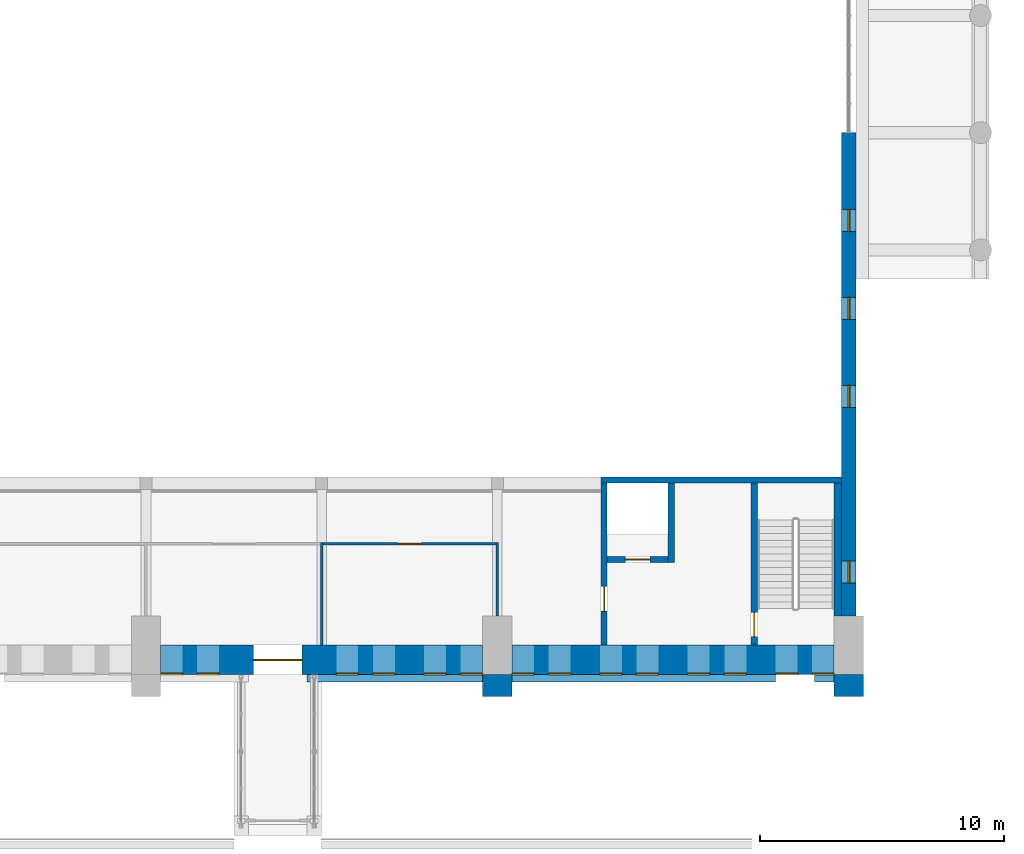
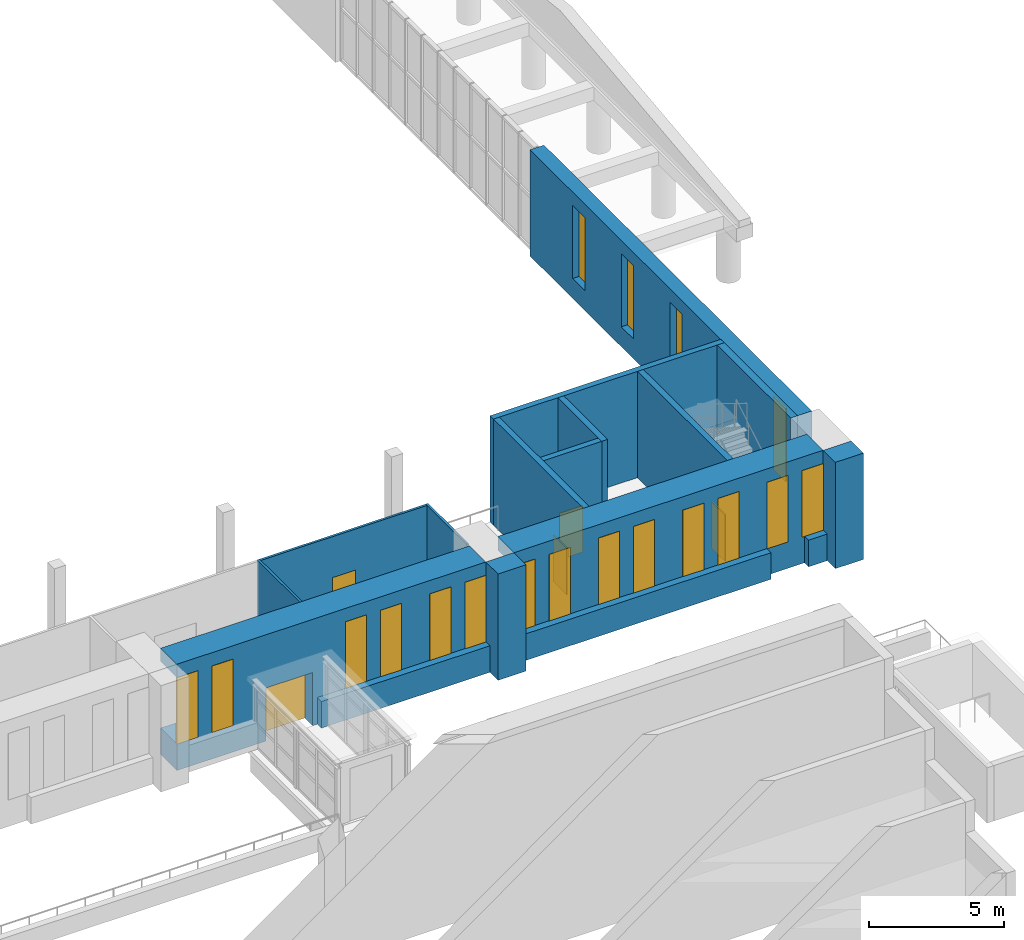
# One storey, part 91 of 131: 18 windows, 17 walls, 5 doors, 23 openings.
"""IFC4 building model written with IfcOpenShell, lengths in metres."""

from ifc_helpers import new_model, si_unit, direction, frame, frame_2d, origin, place, context, subcontext, project, spatial, rectangle, extrude, material, layer, layer_set, type_object, element, fill, save


model = new_model("IFC4")

# Units and contexts
model_context = context("Model", 3, precision=1e-05, world=origin(), true_north=direction((0.0, 1.0)))
body_context = subcontext(model_context, "Body", "Model", "MODEL_VIEW")
ifc_project = project(units=[si_unit("LENGTHUNIT", "METRE"), si_unit("AREAUNIT", "SQUARE_METRE"), si_unit("VOLUMEUNIT", "CUBIC_METRE"), si_unit("PLANEANGLEUNIT", "RADIAN"), si_unit("MASSUNIT", "GRAM", prefix="KILO")], contexts=[model_context])

# Site, building, storey
site_placement = place(None, origin())
site = spatial("IfcSite", under=ifc_project, at=site_placement, CompositionType="ELEMENT")
building_placement = place(site_placement, origin())
building = spatial("IfcBuilding", under=site, at=building_placement, Name="Alderwick Market Hall", CompositionType="ELEMENT")
storey_placement = place(building_placement, frame((0.0, 0.0, 4.800048828125)))
storey = spatial("IfcBuildingStorey", under=building, at=storey_placement, Name="L00", CompositionType="ELEMENT", Elevation=4.800048828125)

# Walls
ifc_material_1 = material(Name="Cast stone 5000 psi (f'c 35 MPa), ASTM C1364", Category="masonry")
ifc_layer_1 = layer(ifc_material_1, 0.300048828125)
ifc_layer_set_1 = layer_set([ifc_layer_1], Name="Cast stone 5000 psi (f'c 35 MPa), ASTM C1364")
wall_type_1 = type_object("IfcWallType", Name="H Base course 300", PredefinedType="SOLIDWALL", material=ifc_layer_set_1)
wall_1_placement = place(storey_placement, frame((129.0, 49.64990234375, 0.0), z_axis=(0.0, 0.0, 1.0), x_axis=(1.0, 0.0, 0.0)))
element("IfcWall", 1, at=wall_1_placement, inside=storey, type_object=wall_type_1, Name="Base course S6", PredefinedType="SOLIDWALL", context=body_context, shape_type="SweptSolid", body=[
    extrude(rectangle(XDim=7.199951171875, YDim=0.300048828125, at=frame_2d((3.60009765625, 0.0))), origin(), (0.0, 0.0, 1.0), 1.199951171875),
])
wall_2_placement = place(storey_placement, frame((137.39990234375, 49.64990234375, 0.0), z_axis=(0.0, 0.0, 1.0), x_axis=(1.0, 0.0, 0.0)))
element("IfcWall", 2, at=wall_2_placement, inside=storey, type_object=wall_type_1, Name="Base course S7", PredefinedType="SOLIDWALL", context=body_context, shape_type="SweptSolid", body=[
    extrude(rectangle(XDim=10.800048828125, YDim=0.300048828125, at=frame_2d((5.39990234375, 0.0))), origin(), (0.0, 0.0, 1.0), 1.199951171875),
])
wall_3_placement = place(storey_placement, frame((149.800048828125, 49.64990234375, 0.0), z_axis=(0.0, 0.0, 1.0), x_axis=(1.0, 0.0, 0.0)))
element("IfcWall", 3, at=wall_3_placement, inside=storey, type_object=wall_type_1, Name="Base course S7", PredefinedType="SOLIDWALL", context=body_context, shape_type="SweptSolid", body=[
    extrude(rectangle(XDim=0.800048828125, YDim=0.300048828125, at=frame_2d((0.39990234375, 0.0))), origin(), (0.0, 0.0, 1.0), 1.199951171875),
])
ifc_material_2 = material(Name="Face brick masonry, ASTM C216 grade SW (f'm 17 MPa)", Category="masonry")
ifc_layer_2 = layer(ifc_material_2, 0.89990234375)
ifc_layer_set_2 = layer_set([ifc_layer_2], Name="Face brick masonry, ASTM C216 grade SW (f'm 17 MPa)")
wall_type_2 = type_object("IfcWallType", Name="H Buttress pier 900", PredefinedType="SOLIDWALL", material=ifc_layer_set_2)
for number, where, z_axis, x_axis, name in (
    (4, (136.199951171875, 49.35009765625, 0.0), (0.0, 0.0, 1.0), (1.0, 0.0, 0.0), "Buttress pier S7"),
    (5, (150.60009765625, 49.35009765625, 0.0), (0.0, 0.0, 1.0), (1.0, 0.0, 0.0), "Buttress pier S8"),
):
    element("IfcWall", number, at=place(storey_placement, frame(where, z_axis=z_axis, x_axis=x_axis)), inside=storey, type_object=wall_type_2, Name=name, PredefinedType="SOLIDWALL", context=body_context, shape_type="SweptSolid", body=[
        extrude(rectangle(XDim=1.199951171875, YDim=0.89990234375, at=frame_2d((0.60009765625, 0.0))), origin(), (0.0, 0.0, 1.0), 4.800048828125),
    ])
ifc_material_3 = material(Name="Concrete 5000 psi (f'c 35 MPa)", Category="concrete")
ifc_layer_3 = layer(ifc_material_3, 0.25)
ifc_layer_set_3 = layer_set([ifc_layer_3], Name="Concrete 5000 psi (f'c 35 MPa)")
wall_type_3 = type_object("IfcWallType", Name="H Core wall 250", PredefinedType="SOLIDWALL", material=ifc_layer_set_3)
wall_4_placement = place(storey_placement, frame((141.050048828125, 57.764892578125, 0.0), z_axis=(0.0, 0.0, 1.0), x_axis=(1.0, 0.0, 0.0)))
element("IfcWall", 6, at=wall_4_placement, inside=storey, type_object=wall_type_3, Name="Core wall H-SE", PredefinedType="SOLIDWALL", context=body_context, shape_type="SweptSolid", body=[
    extrude(rectangle(XDim=9.849853515625, YDim=0.25, at=frame_2d((4.9248046875, 0.0))), origin(), (0.0, 0.0, 1.0), 4.800048828125),
])

# Wall, opening, door
wall_5_placement = place(storey_placement, frame((141.175048828125, 51.0, 0.0), z_axis=(0.0, 0.0, 1.0), x_axis=(0.0, 1.0, 0.0)))
wall_5 = element("IfcWall", 7, at=wall_5_placement, inside=storey, type_object=wall_type_3, Name="Core wall H-SE", PredefinedType="SOLIDWALL", context=body_context, shape_type="SweptSolid", body=[
    extrude(rectangle(XDim=6.639892578125, YDim=0.25, at=frame_2d((3.31982421875, 0.0))), origin(), (0.0, 0.0, 1.0), 4.800048828125),
])
opening_1_placement = place(wall_5_placement, frame((1.39990234375, 0.0, 0.0)))
opening_1 = element("IfcOpeningElement", 8, at=opening_1_placement, cuts=wall_5, Name="Opening H-D043", PredefinedType="OPENING", context=body_context, shape_type="SweptSolid", body=[
    extrude(rectangle(XDim=1.0, YDim=2.10009765625, at=frame_2d((0.5, 1.050048828125))), frame((0.0, 0.135009765625, 0.0), z_axis=(0.0, -1.0, 0.0), x_axis=(1.0, 0.0, 0.0)), (0.0, 0.0, 1.0), 0.27001953125),
])
ifc_material_4 = material(Name="Steel, fire-rated", Category="steel")
door_type_1 = type_object("IfcDoorType", Name="H Stair door FD90 1000x2100", OperationType="SINGLE_SWING_LEFT", PredefinedType="DOOR", material=ifc_material_4)
door_1_placement = place(opening_1_placement, origin())
door_1 = element("IfcDoor", 9, at=door_1_placement, inside=storey, type_object=door_type_1, Name="Door H-D043", OperationType="SINGLE_SWING_LEFT", OverallHeight=2.10009765625, OverallWidth=1.0, PredefinedType="DOOR", context=body_context, shape_type="SweptSolid", body=[
    extrude(rectangle(XDim=1.0, YDim=2.10009765625, at=frame_2d((0.5, 1.050048828125))), frame((0.0, 0.02490234375, 0.0), z_axis=(0.0, -1.0, 0.0), x_axis=(1.0, 0.0, 0.0)), (0.0, 0.0, 1.0), 0.050048828125),
])
fill(opening_1, door_1)

wall_6_placement = place(storey_placement, frame((147.324951171875, 51.0, 0.0), z_axis=(0.0, 0.0, 1.0), x_axis=(0.0, 1.0, 0.0)))
wall_6 = element("IfcWall", 10, at=wall_6_placement, inside=storey, type_object=wall_type_3, Name="Core wall H-SE", PredefinedType="SOLIDWALL", context=body_context, shape_type="SweptSolid", body=[
    extrude(rectangle(XDim=6.639892578125, YDim=0.25, at=frame_2d((3.31982421875, 0.0))), origin(), (0.0, 0.0, 1.0), 4.800048828125),
])
opening_2_placement = place(wall_6_placement, frame((0.35009765625, 0.0, 0.0)))
opening_2 = element("IfcOpeningElement", 11, at=opening_2_placement, cuts=wall_6, Name="Opening H-D042", PredefinedType="OPENING", context=body_context, shape_type="SweptSolid", body=[
    extrude(rectangle(XDim=1.0, YDim=2.10009765625, at=frame_2d((0.5, 1.050048828125))), frame((0.0, 0.135009765625, 0.0), z_axis=(0.0, -1.0, 0.0), x_axis=(1.0, 0.0, 0.0)), (0.0, 0.0, 1.0), 0.27001953125),
])
door_2_placement = place(opening_2_placement, origin())
door_2 = element("IfcDoor", 12, at=door_2_placement, inside=storey, type_object=door_type_1, Name="Door H-D042", OperationType="SINGLE_SWING_LEFT", OverallHeight=2.10009765625, OverallWidth=1.0, PredefinedType="DOOR", context=body_context, shape_type="SweptSolid", body=[
    extrude(rectangle(XDim=1.0, YDim=2.10009765625, at=frame_2d((0.5, 1.050048828125))), frame((0.0, 0.02490234375, 0.0), z_axis=(0.0, -1.0, 0.0), x_axis=(1.0, 0.0, 0.0)), (0.0, 0.0, 1.0), 0.050048828125),
])
fill(opening_2, door_2)

# Wall
wall_7_placement = place(storey_placement, frame((143.925048828125, 54.389892578125, 0.0), z_axis=(0.0, 0.0, 1.0), x_axis=(0.0, 1.0, 0.0)))
element("IfcWall", 13, at=wall_7_placement, inside=storey, type_object=wall_type_3, Name="Core wall H-SE", PredefinedType="SOLIDWALL", context=body_context, shape_type="SweptSolid", body=[
    extrude(rectangle(XDim=3.25, YDim=0.25, at=frame_2d((1.625, 0.0))), origin(), (0.0, 0.0, 1.0), 4.800048828125),
])

# Wall, opening, door
wall_8_placement = place(storey_placement, frame((141.300048828125, 54.514892578125, 0.0), z_axis=(0.0, 0.0, 1.0), x_axis=(1.0, 0.0, 0.0)))
wall_8 = element("IfcWall", 14, at=wall_8_placement, inside=storey, type_object=wall_type_3, Name="Core wall H-SE", PredefinedType="SOLIDWALL", context=body_context, shape_type="SweptSolid", body=[
    extrude(rectangle(XDim=2.5, YDim=0.25, at=frame_2d((1.25, 0.0))), origin(), (0.0, 0.0, 1.0), 4.800048828125),
])
opening_3_placement = place(wall_8_placement, frame((0.75, 0.0, 0.0)))
opening_3 = element("IfcOpeningElement", 15, at=opening_3_placement, cuts=wall_8, Name="Opening H-D041", PredefinedType="OPENING", context=body_context, shape_type="SweptSolid", body=[
    extrude(rectangle(XDim=1.0, YDim=2.10009765625, at=frame_2d((0.5, 1.050048828125))), frame((0.0, 0.135009765625, 0.0), z_axis=(0.0, -1.0, 0.0), x_axis=(1.0, 0.0, 0.0)), (0.0, 0.0, 1.0), 0.27001953125),
])
ifc_material_5 = material(Name="Timber, solid core", Category="wood")
door_type_2 = type_object("IfcDoorType", Name="H Room door 1000x2100", OperationType="SINGLE_SWING_LEFT", PredefinedType="DOOR", material=ifc_material_5)
door_3_placement = place(opening_3_placement, origin())
door_3 = element("IfcDoor", 16, at=door_3_placement, inside=storey, type_object=door_type_2, Name="Door H-D041", OperationType="SINGLE_SWING_LEFT", OverallHeight=2.10009765625, OverallWidth=1.0, PredefinedType="DOOR", context=body_context, shape_type="SweptSolid", body=[
    extrude(rectangle(XDim=1.0, YDim=2.10009765625, at=frame_2d((0.5, 1.050048828125))), frame((0.0, 0.02490234375, 0.0), z_axis=(0.0, -1.0, 0.0), x_axis=(1.0, 0.0, 0.0)), (0.0, 0.0, 1.0), 0.050048828125),
])
fill(opening_3, door_3)

# Wall, openings, door, windows
ifc_layer_4 = layer(ifc_material_3, 1.199951171875)
ifc_layer_set_4 = layer_set([ifc_layer_4], Name="Concrete 5000 psi (f'c 35 MPa)")
wall_type_4 = type_object("IfcWallType", Name="H Long wall 1200", PredefinedType="SOLIDWALL", material=ifc_layer_set_4)
wall_9_placement = place(storey_placement, frame((123.0, 50.39990234375, 0.0), z_axis=(0.0, 0.0, 1.0), x_axis=(1.0, 0.0, 0.0)))
wall_9 = element("IfcWall", 17, at=wall_9_placement, inside=storey, type_object=wall_type_4, Name="Long wall S L00 6", PredefinedType="SOLIDWALL", context=body_context, shape_type="SweptSolid", body=[
    extrude(rectangle(XDim=13.199951171875, YDim=1.199951171875, at=frame_2d((6.60009765625, 0.0))), origin(), (0.0, 0.0, 1.0), 4.800048828125),
])
opening_4_placement = place(wall_9_placement, frame((3.800048828125, 0.0, 0.0)))
opening_4 = element("IfcOpeningElement", 18, at=opening_4_placement, cuts=wall_9, Name="Opening H-D015", PredefinedType="OPENING", context=body_context, shape_type="SweptSolid", body=[
    extrude(rectangle(XDim=2.0, YDim=2.39990234375, at=frame_2d((1.0, 1.199951171875))), frame((0.0, 0.60986328125, 0.0), z_axis=(0.0, -1.0, 0.0), x_axis=(1.0, 0.0, 0.0)), (0.0, 0.0, 1.0), 1.219970703125),
])
opening_5_placement = place(wall_9_placement, frame((0.0, 0.0, 1.199951171875)))
opening_5 = element("IfcOpeningElement", 19, at=opening_5_placement, cuts=wall_9, Name="Opening H-W039", PredefinedType="OPENING", context=body_context, shape_type="SweptSolid", body=[
    extrude(rectangle(XDim=0.89990234375, YDim=3.0, at=frame_2d((0.449951171875, 1.5))), frame((0.0, 0.60986328125, 0.0), z_axis=(0.0, -1.0, 0.0), x_axis=(1.0, 0.0, 0.0)), (0.0, 0.0, 1.0), 1.219970703125),
])
opening_6_placement = place(wall_9_placement, frame((1.5, 0.0, 1.199951171875)))
opening_6 = element("IfcOpeningElement", 20, at=opening_6_placement, cuts=wall_9, Name="Opening H-W040", PredefinedType="OPENING", context=body_context, shape_type="SweptSolid", body=[
    extrude(rectangle(XDim=0.89990234375, YDim=3.0, at=frame_2d((0.449951171875, 1.5))), frame((0.0, 0.60986328125, 0.0), z_axis=(0.0, -1.0, 0.0), x_axis=(1.0, 0.0, 0.0)), (0.0, 0.0, 1.0), 1.219970703125),
])
opening_7_placement = place(wall_9_placement, frame((7.199951171875, 0.0, 1.199951171875)))
opening_7 = element("IfcOpeningElement", 21, at=opening_7_placement, cuts=wall_9, Name="Opening H-W041", PredefinedType="OPENING", context=body_context, shape_type="SweptSolid", body=[
    extrude(rectangle(XDim=0.89990234375, YDim=3.0, at=frame_2d((0.449951171875, 1.5))), frame((0.0, 0.60986328125, 0.0), z_axis=(0.0, -1.0, 0.0), x_axis=(1.0, 0.0, 0.0)), (0.0, 0.0, 1.0), 1.219970703125),
])
opening_8_placement = place(wall_9_placement, frame((8.699951171875, 0.0, 1.199951171875)))
opening_8 = element("IfcOpeningElement", 22, at=opening_8_placement, cuts=wall_9, Name="Opening H-W042", PredefinedType="OPENING", context=body_context, shape_type="SweptSolid", body=[
    extrude(rectangle(XDim=0.89990234375, YDim=3.0, at=frame_2d((0.449951171875, 1.5))), frame((0.0, 0.60986328125, 0.0), z_axis=(0.0, -1.0, 0.0), x_axis=(1.0, 0.0, 0.0)), (0.0, 0.0, 1.0), 1.219970703125),
])
opening_9_placement = place(wall_9_placement, frame((10.800048828125, 0.0, 1.199951171875)))
opening_9 = element("IfcOpeningElement", 23, at=opening_9_placement, cuts=wall_9, Name="Opening H-W043", PredefinedType="OPENING", context=body_context, shape_type="SweptSolid", body=[
    extrude(rectangle(XDim=0.89990234375, YDim=3.0, at=frame_2d((0.449951171875, 1.5))), frame((0.0, 0.60986328125, 0.0), z_axis=(0.0, -1.0, 0.0), x_axis=(1.0, 0.0, 0.0)), (0.0, 0.0, 1.0), 1.219970703125),
])
opening_10_placement = place(wall_9_placement, frame((12.300048828125, 0.0, 1.199951171875)))
opening_10 = element("IfcOpeningElement", 24, at=opening_10_placement, cuts=wall_9, Name="Opening H-W044", PredefinedType="OPENING", context=body_context, shape_type="SweptSolid", body=[
    extrude(rectangle(XDim=0.89990234375, YDim=3.0, at=frame_2d((0.449951171875, 1.5))), frame((0.0, 0.60986328125, 0.0), z_axis=(0.0, -1.0, 0.0), x_axis=(1.0, 0.0, 0.0)), (0.0, 0.0, 1.0), 1.219970703125),
])
ifc_material_6 = material(Name="Bronze-finished aluminium and glass", Category="aluminium")
door_type_3 = type_object("IfcDoorType", Name="H Passage door 2000x2400", OperationType="DOUBLE_DOOR_SINGLE_SWING", PredefinedType="DOOR", material=ifc_material_6)
door_4_placement = place(opening_4_placement, origin())
door_4 = element("IfcDoor", 25, at=door_4_placement, inside=storey, type_object=door_type_3, Name="Door H-D015", OperationType="DOUBLE_DOOR_SINGLE_SWING", OverallHeight=2.39990234375, OverallWidth=2.0, PredefinedType="DOOR", context=body_context, shape_type="SweptSolid", body=[
    extrude(rectangle(XDim=2.0, YDim=2.39990234375, at=frame_2d((1.0, 1.199951171875))), frame((0.0, 0.02490234375, 0.0), z_axis=(0.0, -1.0, 0.0), x_axis=(1.0, 0.0, 0.0)), (0.0, 0.0, 1.0), 0.050048828125),
])
fill(opening_4, door_4)
ifc_material_7 = material(Name="Aluminium frame with insulated glass", Category="aluminium")
window_type_1 = type_object("IfcWindowType", Name="H Window 900x3000", PartitioningType="SINGLE_PANEL", PredefinedType="WINDOW", material=ifc_material_7)
window_1_placement = place(opening_5_placement, origin())
window_1 = element("IfcWindow", 26, at=window_1_placement, inside=storey, type_object=window_type_1, Name="Window H-W039", OverallHeight=3.0, OverallWidth=0.89990234375, PartitioningType="SINGLE_PANEL", PredefinedType="WINDOW", context=body_context, shape_type="SweptSolid", body=[
    extrude(rectangle(XDim=0.89990234375, YDim=3.0, at=frame_2d((0.449951171875, 1.5))), frame((0.0, -0.550048828125, 0.0), z_axis=(0.0, -1.0, 0.0), x_axis=(1.0, 0.0, 0.0)), (0.0, 0.0, 1.0), 0.06005859375),
])
fill(opening_5, window_1)
window_2_placement = place(opening_6_placement, origin())
window_2 = element("IfcWindow", 27, at=window_2_placement, inside=storey, type_object=window_type_1, Name="Window H-W040", OverallHeight=3.0, OverallWidth=0.89990234375, PartitioningType="SINGLE_PANEL", PredefinedType="WINDOW", context=body_context, shape_type="SweptSolid", body=[
    extrude(rectangle(XDim=0.89990234375, YDim=3.0, at=frame_2d((0.449951171875, 1.5))), frame((0.0, -0.550048828125, 0.0), z_axis=(0.0, -1.0, 0.0), x_axis=(1.0, 0.0, 0.0)), (0.0, 0.0, 1.0), 0.06005859375),
])
fill(opening_6, window_2)
window_3_placement = place(opening_7_placement, origin())
window_3 = element("IfcWindow", 28, at=window_3_placement, inside=storey, type_object=window_type_1, Name="Window H-W041", OverallHeight=3.0, OverallWidth=0.89990234375, PartitioningType="SINGLE_PANEL", PredefinedType="WINDOW", context=body_context, shape_type="SweptSolid", body=[
    extrude(rectangle(XDim=0.89990234375, YDim=3.0, at=frame_2d((0.449951171875, 1.5))), frame((0.0, -0.550048828125, 0.0), z_axis=(0.0, -1.0, 0.0), x_axis=(1.0, 0.0, 0.0)), (0.0, 0.0, 1.0), 0.06005859375),
])
fill(opening_7, window_3)
window_4_placement = place(opening_8_placement, origin())
window_4 = element("IfcWindow", 29, at=window_4_placement, inside=storey, type_object=window_type_1, Name="Window H-W042", OverallHeight=3.0, OverallWidth=0.89990234375, PartitioningType="SINGLE_PANEL", PredefinedType="WINDOW", context=body_context, shape_type="SweptSolid", body=[
    extrude(rectangle(XDim=0.89990234375, YDim=3.0, at=frame_2d((0.449951171875, 1.5))), frame((0.0, -0.550048828125, 0.0), z_axis=(0.0, -1.0, 0.0), x_axis=(1.0, 0.0, 0.0)), (0.0, 0.0, 1.0), 0.06005859375),
])
fill(opening_8, window_4)
window_5_placement = place(opening_9_placement, origin())
window_5 = element("IfcWindow", 30, at=window_5_placement, inside=storey, type_object=window_type_1, Name="Window H-W043", OverallHeight=3.0, OverallWidth=0.89990234375, PartitioningType="SINGLE_PANEL", PredefinedType="WINDOW", context=body_context, shape_type="SweptSolid", body=[
    extrude(rectangle(XDim=0.89990234375, YDim=3.0, at=frame_2d((0.449951171875, 1.5))), frame((0.0, -0.550048828125, 0.0), z_axis=(0.0, -1.0, 0.0), x_axis=(1.0, 0.0, 0.0)), (0.0, 0.0, 1.0), 0.06005859375),
])
fill(opening_9, window_5)
window_6_placement = place(opening_10_placement, origin())
window_6 = element("IfcWindow", 31, at=window_6_placement, inside=storey, type_object=window_type_1, Name="Window H-W044", OverallHeight=3.0, OverallWidth=0.89990234375, PartitioningType="SINGLE_PANEL", PredefinedType="WINDOW", context=body_context, shape_type="SweptSolid", body=[
    extrude(rectangle(XDim=0.89990234375, YDim=3.0, at=frame_2d((0.449951171875, 1.5))), frame((0.0, -0.550048828125, 0.0), z_axis=(0.0, -1.0, 0.0), x_axis=(1.0, 0.0, 0.0)), (0.0, 0.0, 1.0), 0.06005859375),
])
fill(opening_10, window_6)

# Wall, openings, windows
wall_10_placement = place(storey_placement, frame((137.39990234375, 50.39990234375, 0.0), z_axis=(0.0, 0.0, 1.0), x_axis=(1.0, 0.0, 0.0)))
wall_10 = element("IfcWall", 32, at=wall_10_placement, inside=storey, type_object=wall_type_4, Name="Long wall S L00 7", PredefinedType="SOLIDWALL", context=body_context, shape_type="SweptSolid", body=[
    extrude(rectangle(XDim=13.2001953125, YDim=1.199951171875, at=frame_2d((6.60009765625, 0.0))), origin(), (0.0, 0.0, 1.0), 4.800048828125),
])
opening_11_placement = place(wall_10_placement, frame((0.0, 0.0, 1.199951171875)))
opening_11 = element("IfcOpeningElement", 33, at=opening_11_placement, cuts=wall_10, Name="Opening H-W045", PredefinedType="OPENING", context=body_context, shape_type="SweptSolid", body=[
    extrude(rectangle(XDim=0.89990234375, YDim=3.0, at=frame_2d((0.449951171875, 1.5))), frame((0.0, 0.60986328125, 0.0), z_axis=(0.0, -1.0, 0.0), x_axis=(1.0, 0.0, 0.0)), (0.0, 0.0, 1.0), 1.219970703125),
])
opening_12_placement = place(wall_10_placement, frame((1.5, 0.0, 1.199951171875)))
opening_12 = element("IfcOpeningElement", 34, at=opening_12_placement, cuts=wall_10, Name="Opening H-W046", PredefinedType="OPENING", context=body_context, shape_type="SweptSolid", body=[
    extrude(rectangle(XDim=0.89990234375, YDim=3.0, at=frame_2d((0.449951171875, 1.5))), frame((0.0, 0.60986328125, 0.0), z_axis=(0.0, -1.0, 0.0), x_axis=(1.0, 0.0, 0.0)), (0.0, 0.0, 1.0), 1.219970703125),
])
opening_13_placement = place(wall_10_placement, frame((3.60009765625, 0.0, 1.199951171875)))
opening_13 = element("IfcOpeningElement", 35, at=opening_13_placement, cuts=wall_10, Name="Opening H-W047", PredefinedType="OPENING", context=body_context, shape_type="SweptSolid", body=[
    extrude(rectangle(XDim=0.89990234375, YDim=3.0, at=frame_2d((0.449951171875, 1.5))), frame((0.0, 0.60986328125, 0.0), z_axis=(0.0, -1.0, 0.0), x_axis=(1.0, 0.0, 0.0)), (0.0, 0.0, 1.0), 1.219970703125),
])
opening_14_placement = place(wall_10_placement, frame((5.10009765625, 0.0, 1.199951171875)))
opening_14 = element("IfcOpeningElement", 36, at=opening_14_placement, cuts=wall_10, Name="Opening H-W048", PredefinedType="OPENING", context=body_context, shape_type="SweptSolid", body=[
    extrude(rectangle(XDim=0.89990234375, YDim=3.0, at=frame_2d((0.449951171875, 1.5))), frame((0.0, 0.60986328125, 0.0), z_axis=(0.0, -1.0, 0.0), x_axis=(1.0, 0.0, 0.0)), (0.0, 0.0, 1.0), 1.219970703125),
])
opening_15_placement = place(wall_10_placement, frame((7.199951171875, 0.0, 1.199951171875)))
opening_15 = element("IfcOpeningElement", 37, at=opening_15_placement, cuts=wall_10, Name="Opening H-W049", PredefinedType="OPENING", context=body_context, shape_type="SweptSolid", body=[
    extrude(rectangle(XDim=0.89990234375, YDim=3.0, at=frame_2d((0.449951171875, 1.5))), frame((0.0, 0.60986328125, 0.0), z_axis=(0.0, -1.0, 0.0), x_axis=(1.0, 0.0, 0.0)), (0.0, 0.0, 1.0), 1.219970703125),
])
opening_16_placement = place(wall_10_placement, frame((8.699951171875, 0.0, 1.199951171875)))
opening_16 = element("IfcOpeningElement", 38, at=opening_16_placement, cuts=wall_10, Name="Opening H-W050", PredefinedType="OPENING", context=body_context, shape_type="SweptSolid", body=[
    extrude(rectangle(XDim=0.89990234375, YDim=3.0, at=frame_2d((0.449951171875, 1.5))), frame((0.0, 0.60986328125, 0.0), z_axis=(0.0, -1.0, 0.0), x_axis=(1.0, 0.0, 0.0)), (0.0, 0.0, 1.0), 1.219970703125),
])
opening_17_placement = place(wall_10_placement, frame((10.800048828125, 0.0, 1.199951171875)))
opening_17 = element("IfcOpeningElement", 39, at=opening_17_placement, cuts=wall_10, Name="Opening H-W051", PredefinedType="OPENING", context=body_context, shape_type="SweptSolid", body=[
    extrude(rectangle(XDim=0.89990234375, YDim=3.0, at=frame_2d((0.449951171875, 1.5))), frame((0.0, 0.60986328125, 0.0), z_axis=(0.0, -1.0, 0.0), x_axis=(1.0, 0.0, 0.0)), (0.0, 0.0, 1.0), 1.219970703125),
])
opening_18_placement = place(wall_10_placement, frame((12.300048828125, 0.0, 1.199951171875)))
opening_18 = element("IfcOpeningElement", 40, at=opening_18_placement, cuts=wall_10, Name="Opening H-W052", PredefinedType="OPENING", context=body_context, shape_type="SweptSolid", body=[
    extrude(rectangle(XDim=0.89990234375, YDim=3.0, at=frame_2d((0.449951171875, 1.5))), frame((0.0, 0.60986328125, 0.0), z_axis=(0.0, -1.0, 0.0), x_axis=(1.0, 0.0, 0.0)), (0.0, 0.0, 1.0), 1.219970703125),
])
window_7_placement = place(opening_11_placement, origin())
window_7 = element("IfcWindow", 41, at=window_7_placement, inside=storey, type_object=window_type_1, Name="Window H-W045", OverallHeight=3.0, OverallWidth=0.89990234375, PartitioningType="SINGLE_PANEL", PredefinedType="WINDOW", context=body_context, shape_type="SweptSolid", body=[
    extrude(rectangle(XDim=0.89990234375, YDim=3.0, at=frame_2d((0.449951171875, 1.5))), frame((0.0, -0.550048828125, 0.0), z_axis=(0.0, -1.0, 0.0), x_axis=(1.0, 0.0, 0.0)), (0.0, 0.0, 1.0), 0.06005859375),
])
fill(opening_11, window_7)
window_8_placement = place(opening_12_placement, origin())
window_8 = element("IfcWindow", 42, at=window_8_placement, inside=storey, type_object=window_type_1, Name="Window H-W046", OverallHeight=3.0, OverallWidth=0.89990234375, PartitioningType="SINGLE_PANEL", PredefinedType="WINDOW", context=body_context, shape_type="SweptSolid", body=[
    extrude(rectangle(XDim=0.89990234375, YDim=3.0, at=frame_2d((0.449951171875, 1.5))), frame((0.0, -0.550048828125, 0.0), z_axis=(0.0, -1.0, 0.0), x_axis=(1.0, 0.0, 0.0)), (0.0, 0.0, 1.0), 0.06005859375),
])
fill(opening_12, window_8)
window_9_placement = place(opening_13_placement, origin())
window_9 = element("IfcWindow", 43, at=window_9_placement, inside=storey, type_object=window_type_1, Name="Window H-W047", OverallHeight=3.0, OverallWidth=0.89990234375, PartitioningType="SINGLE_PANEL", PredefinedType="WINDOW", context=body_context, shape_type="SweptSolid", body=[
    extrude(rectangle(XDim=0.89990234375, YDim=3.0, at=frame_2d((0.449951171875, 1.5))), frame((0.0, -0.550048828125, 0.0), z_axis=(0.0, -1.0, 0.0), x_axis=(1.0, 0.0, 0.0)), (0.0, 0.0, 1.0), 0.06005859375),
])
fill(opening_13, window_9)
window_10_placement = place(opening_14_placement, origin())
window_10 = element("IfcWindow", 44, at=window_10_placement, inside=storey, type_object=window_type_1, Name="Window H-W048", OverallHeight=3.0, OverallWidth=0.89990234375, PartitioningType="SINGLE_PANEL", PredefinedType="WINDOW", context=body_context, shape_type="SweptSolid", body=[
    extrude(rectangle(XDim=0.89990234375, YDim=3.0, at=frame_2d((0.449951171875, 1.5))), frame((0.0, -0.550048828125, 0.0), z_axis=(0.0, -1.0, 0.0), x_axis=(1.0, 0.0, 0.0)), (0.0, 0.0, 1.0), 0.06005859375),
])
fill(opening_14, window_10)
window_11_placement = place(opening_15_placement, origin())
window_11 = element("IfcWindow", 45, at=window_11_placement, inside=storey, type_object=window_type_1, Name="Window H-W049", OverallHeight=3.0, OverallWidth=0.89990234375, PartitioningType="SINGLE_PANEL", PredefinedType="WINDOW", context=body_context, shape_type="SweptSolid", body=[
    extrude(rectangle(XDim=0.89990234375, YDim=3.0, at=frame_2d((0.449951171875, 1.5))), frame((0.0, -0.550048828125, 0.0), z_axis=(0.0, -1.0, 0.0), x_axis=(1.0, 0.0, 0.0)), (0.0, 0.0, 1.0), 0.06005859375),
])
fill(opening_15, window_11)
window_12_placement = place(opening_16_placement, origin())
window_12 = element("IfcWindow", 46, at=window_12_placement, inside=storey, type_object=window_type_1, Name="Window H-W050", OverallHeight=3.0, OverallWidth=0.89990234375, PartitioningType="SINGLE_PANEL", PredefinedType="WINDOW", context=body_context, shape_type="SweptSolid", body=[
    extrude(rectangle(XDim=0.89990234375, YDim=3.0, at=frame_2d((0.449951171875, 1.5))), frame((0.0, -0.550048828125, 0.0), z_axis=(0.0, -1.0, 0.0), x_axis=(1.0, 0.0, 0.0)), (0.0, 0.0, 1.0), 0.06005859375),
])
fill(opening_16, window_12)
window_13_placement = place(opening_17_placement, origin())
window_13 = element("IfcWindow", 47, at=window_13_placement, inside=storey, type_object=window_type_1, Name="Window H-W051", OverallHeight=3.0, OverallWidth=0.89990234375, PartitioningType="SINGLE_PANEL", PredefinedType="WINDOW", context=body_context, shape_type="SweptSolid", body=[
    extrude(rectangle(XDim=0.89990234375, YDim=3.0, at=frame_2d((0.449951171875, 1.5))), frame((0.0, -0.550048828125, 0.0), z_axis=(0.0, -1.0, 0.0), x_axis=(1.0, 0.0, 0.0)), (0.0, 0.0, 1.0), 0.06005859375),
])
fill(opening_17, window_13)
window_14_placement = place(opening_18_placement, origin())
window_14 = element("IfcWindow", 48, at=window_14_placement, inside=storey, type_object=window_type_1, Name="Window H-W052", OverallHeight=3.0, OverallWidth=0.89990234375, PartitioningType="SINGLE_PANEL", PredefinedType="WINDOW", context=body_context, shape_type="SweptSolid", body=[
    extrude(rectangle(XDim=0.89990234375, YDim=3.0, at=frame_2d((0.449951171875, 1.5))), frame((0.0, -0.550048828125, 0.0), z_axis=(0.0, -1.0, 0.0), x_axis=(1.0, 0.0, 0.0)), (0.0, 0.0, 1.0), 0.06005859375),
])
fill(opening_18, window_14)

# Walls
ifc_material_8 = material(Name="Gypsum board partition")
ifc_layer_5 = layer(ifc_material_8, 0.10009765625)
ifc_layer_set_5 = layer_set([ifc_layer_5], Name="Gypsum board partition")
wall_type_5 = type_object("IfcWallType", Name="H Partition 100", PredefinedType="PARTITIONING", material=ifc_layer_set_5)
wall_11_placement = place(storey_placement, frame((129.60009765625, 51.0, 0.0), z_axis=(0.0, 0.0, 1.0), x_axis=(0.0, 1.0, 0.0)))
element("IfcWall", 49, at=wall_11_placement, inside=storey, type_object=wall_type_5, Name="Partition", PredefinedType="PARTITIONING", context=body_context, shape_type="SweptSolid", body=[
    extrude(rectangle(XDim=4.199951171875, YDim=0.10009765625, at=frame_2d((2.10009765625, 0.0))), origin(), (0.0, 0.0, 1.0), 3.949951171875),
])
wall_12_placement = place(storey_placement, frame((136.800048828125, 52.199951171875, 0.0), z_axis=(0.0, 0.0, 1.0), x_axis=(0.0, 1.0, 0.0)))
element("IfcWall", 50, at=wall_12_placement, inside=storey, type_object=wall_type_5, Name="Partition", PredefinedType="PARTITIONING", context=body_context, shape_type="SweptSolid", body=[
    extrude(rectangle(XDim=3.0, YDim=0.10009765625, at=frame_2d((1.5, 0.0))), origin(), (0.0, 0.0, 1.0), 3.949951171875),
])

# Wall, opening, door
wall_13_placement = place(storey_placement, frame((129.64990234375, 55.14990234375, 0.0), z_axis=(0.0, 0.0, 1.0), x_axis=(1.0, 0.0, 0.0)))
wall_13 = element("IfcWall", 51, at=wall_13_placement, inside=storey, type_object=wall_type_5, Name="Partition", PredefinedType="PARTITIONING", context=body_context, shape_type="SweptSolid", body=[
    extrude(rectangle(XDim=7.10009765625, YDim=0.10009765625, at=frame_2d((3.550048828125, 0.0))), origin(), (0.0, 0.0, 1.0), 3.949951171875),
])
opening_19_placement = place(wall_13_placement, frame((3.050048828125, 0.0, 0.0)))
opening_19 = element("IfcOpeningElement", 52, at=opening_19_placement, cuts=wall_13, Name="Opening H-D067", PredefinedType="OPENING", context=body_context, shape_type="SweptSolid", body=[
    extrude(rectangle(XDim=1.0, YDim=2.10009765625, at=frame_2d((0.5, 1.050048828125))), frame((0.0, 0.06005859375, 0.0), z_axis=(0.0, -1.0, 0.0), x_axis=(1.0, 0.0, 0.0)), (0.0, 0.0, 1.0), 0.1201171875),
])
door_5_placement = place(opening_19_placement, origin())
door_5 = element("IfcDoor", 53, at=door_5_placement, inside=storey, type_object=door_type_2, Name="Door H-D067", OperationType="SINGLE_SWING_LEFT", OverallHeight=2.10009765625, OverallWidth=1.0, PredefinedType="DOOR", context=body_context, shape_type="SweptSolid", body=[
    extrude(rectangle(XDim=1.0, YDim=2.10009765625, at=frame_2d((0.5, 1.050048828125))), frame((0.0, 0.02490234375, 0.0), z_axis=(0.0, -1.0, 0.0), x_axis=(1.0, 0.0, 0.0)), (0.0, 0.0, 1.0), 0.050048828125),
])
fill(opening_19, door_5)

# Wall
ifc_layer_6 = layer(ifc_material_3, 0.300048828125)
ifc_layer_set_6 = layer_set([ifc_layer_6], Name="Concrete 5000 psi (f'c 35 MPa)")
wall_type_6 = type_object("IfcWallType", Name="H Stair furring wall 300", PredefinedType="SOLIDWALL", material=ifc_layer_set_6)
wall_14_placement = place(storey_placement, frame((150.75, 52.199951171875, 0.0), z_axis=(0.0, 0.0, 1.0), x_axis=(0.0, 1.0, 0.0)))
element("IfcWall", 54, at=wall_14_placement, inside=storey, type_object=wall_type_6, Name="Core wall H-SE", PredefinedType="SOLIDWALL", context=body_context, shape_type="SweptSolid", body=[
    extrude(rectangle(XDim=5.43994140625, YDim=0.300048828125, at=frame_2d((2.719970703125, 0.0))), origin(), (0.0, 0.0, 1.0), 4.800048828125),
])

# Wall, openings, windows
ifc_layer_7 = layer(ifc_material_3, 0.60009765625)
ifc_layer_set_7 = layer_set([ifc_layer_7], Name="Concrete 5000 psi (f'c 35 MPa)")
wall_type_7 = type_object("IfcWallType", Name="R Gable Wall 600", PredefinedType="SOLIDWALL", material=ifc_layer_set_7)
wall_15_placement = place(storey_placement, frame((151.199951171875, 52.199951171875, 0.0), z_axis=(0.0, 0.0, 1.0), x_axis=(0.0, 1.0, 0.0)))
wall_15 = element("IfcWall", 55, at=wall_15_placement, inside=storey, type_object=wall_type_7, Name="East gable wall S L00", PredefinedType="SOLIDWALL", context=body_context, shape_type="SweptSolid", body=[
    extrude(rectangle(XDim=19.800048828125, YDim=0.60009765625, at=frame_2d((9.89990234375, 0.0))), origin(), (0.0, 0.0, 1.0), 4.800048828125),
])
opening_20_placement = place(wall_15_placement, frame((1.35009765625, 0.0, 0.89990234375)))
opening_20 = element("IfcOpeningElement", 56, at=opening_20_placement, cuts=wall_15, Name="Opening R-W055", PredefinedType="OPENING", context=body_context, shape_type="SweptSolid", body=[
    extrude(rectangle(XDim=0.89990234375, YDim=3.300048828125, at=frame_2d((0.449951171875, 1.64990234375))), frame((0.0, 0.31005859375, 0.0), z_axis=(0.0, -1.0, 0.0), x_axis=(1.0, 0.0, 0.0)), (0.0, 0.0, 1.0), 0.6201171875),
])
opening_21_placement = place(wall_15_placement, frame((8.550048828125, 0.0, 0.89990234375)))
opening_21 = element("IfcOpeningElement", 57, at=opening_21_placement, cuts=wall_15, Name="Opening R-W056", PredefinedType="OPENING", context=body_context, shape_type="SweptSolid", body=[
    extrude(rectangle(XDim=0.89990234375, YDim=3.300048828125, at=frame_2d((0.449951171875, 1.64990234375))), frame((0.0, 0.31005859375, 0.0), z_axis=(0.0, -1.0, 0.0), x_axis=(1.0, 0.0, 0.0)), (0.0, 0.0, 1.0), 0.6201171875),
])
opening_22_placement = place(wall_15_placement, frame((12.14990234375, 0.0, 0.89990234375)))
opening_22 = element("IfcOpeningElement", 58, at=opening_22_placement, cuts=wall_15, Name="Opening R-W057", PredefinedType="OPENING", context=body_context, shape_type="SweptSolid", body=[
    extrude(rectangle(XDim=0.89990234375, YDim=3.300048828125, at=frame_2d((0.449951171875, 1.64990234375))), frame((0.0, 0.31005859375, 0.0), z_axis=(0.0, -1.0, 0.0), x_axis=(1.0, 0.0, 0.0)), (0.0, 0.0, 1.0), 0.6201171875),
])
opening_23_placement = place(wall_15_placement, frame((15.75, 0.0, 0.89990234375)))
opening_23 = element("IfcOpeningElement", 59, at=opening_23_placement, cuts=wall_15, Name="Opening R-W058", PredefinedType="OPENING", context=body_context, shape_type="SweptSolid", body=[
    extrude(rectangle(XDim=0.89990234375, YDim=3.300048828125, at=frame_2d((0.449951171875, 1.64990234375))), frame((0.0, 0.31005859375, 0.0), z_axis=(0.0, -1.0, 0.0), x_axis=(1.0, 0.0, 0.0)), (0.0, 0.0, 1.0), 0.6201171875),
])
ifc_material_9 = material(Name="Aluminium", Category="aluminium")
window_type_2 = type_object("IfcWindowType", Name="R Gable Window 900x3300", PartitioningType="SINGLE_PANEL", PredefinedType="WINDOW", material=ifc_material_9)
window_15_placement = place(opening_20_placement, origin())
window_15 = element("IfcWindow", 60, at=window_15_placement, inside=storey, type_object=window_type_2, Name="Gable window R-W055", OverallHeight=3.300048828125, OverallWidth=0.89990234375, PartitioningType="SINGLE_PANEL", PredefinedType="WINDOW", context=body_context, shape_type="SweptSolid", body=[
    extrude(rectangle(XDim=0.89990234375, YDim=3.300048828125, at=frame_2d((0.449951171875, 1.64990234375))), frame((0.0, 0.030029296875, 0.0), z_axis=(0.0, -1.0, 0.0), x_axis=(1.0, 0.0, 0.0)), (0.0, 0.0, 1.0), 0.06005859375),
])
fill(opening_20, window_15)
window_16_placement = place(opening_21_placement, origin())
window_16 = element("IfcWindow", 61, at=window_16_placement, inside=storey, type_object=window_type_2, Name="Gable window R-W056", OverallHeight=3.300048828125, OverallWidth=0.89990234375, PartitioningType="SINGLE_PANEL", PredefinedType="WINDOW", context=body_context, shape_type="SweptSolid", body=[
    extrude(rectangle(XDim=0.89990234375, YDim=3.300048828125, at=frame_2d((0.449951171875, 1.64990234375))), frame((0.0, 0.030029296875, 0.0), z_axis=(0.0, -1.0, 0.0), x_axis=(1.0, 0.0, 0.0)), (0.0, 0.0, 1.0), 0.06005859375),
])
fill(opening_21, window_16)
window_17_placement = place(opening_22_placement, origin())
window_17 = element("IfcWindow", 62, at=window_17_placement, inside=storey, type_object=window_type_2, Name="Gable window R-W057", OverallHeight=3.300048828125, OverallWidth=0.89990234375, PartitioningType="SINGLE_PANEL", PredefinedType="WINDOW", context=body_context, shape_type="SweptSolid", body=[
    extrude(rectangle(XDim=0.89990234375, YDim=3.300048828125, at=frame_2d((0.449951171875, 1.64990234375))), frame((0.0, 0.030029296875, 0.0), z_axis=(0.0, -1.0, 0.0), x_axis=(1.0, 0.0, 0.0)), (0.0, 0.0, 1.0), 0.06005859375),
])
fill(opening_22, window_17)
window_18_placement = place(opening_23_placement, origin())
window_18 = element("IfcWindow", 63, at=window_18_placement, inside=storey, type_object=window_type_2, Name="Gable window R-W058", OverallHeight=3.300048828125, OverallWidth=0.89990234375, PartitioningType="SINGLE_PANEL", PredefinedType="WINDOW", context=body_context, shape_type="SweptSolid", body=[
    extrude(rectangle(XDim=0.89990234375, YDim=3.300048828125, at=frame_2d((0.449951171875, 1.64990234375))), frame((0.0, 0.030029296875, 0.0), z_axis=(0.0, -1.0, 0.0), x_axis=(1.0, 0.0, 0.0)), (0.0, 0.0, 1.0), 0.06005859375),
])
fill(opening_23, window_18)

save(model, "model.ifc")
